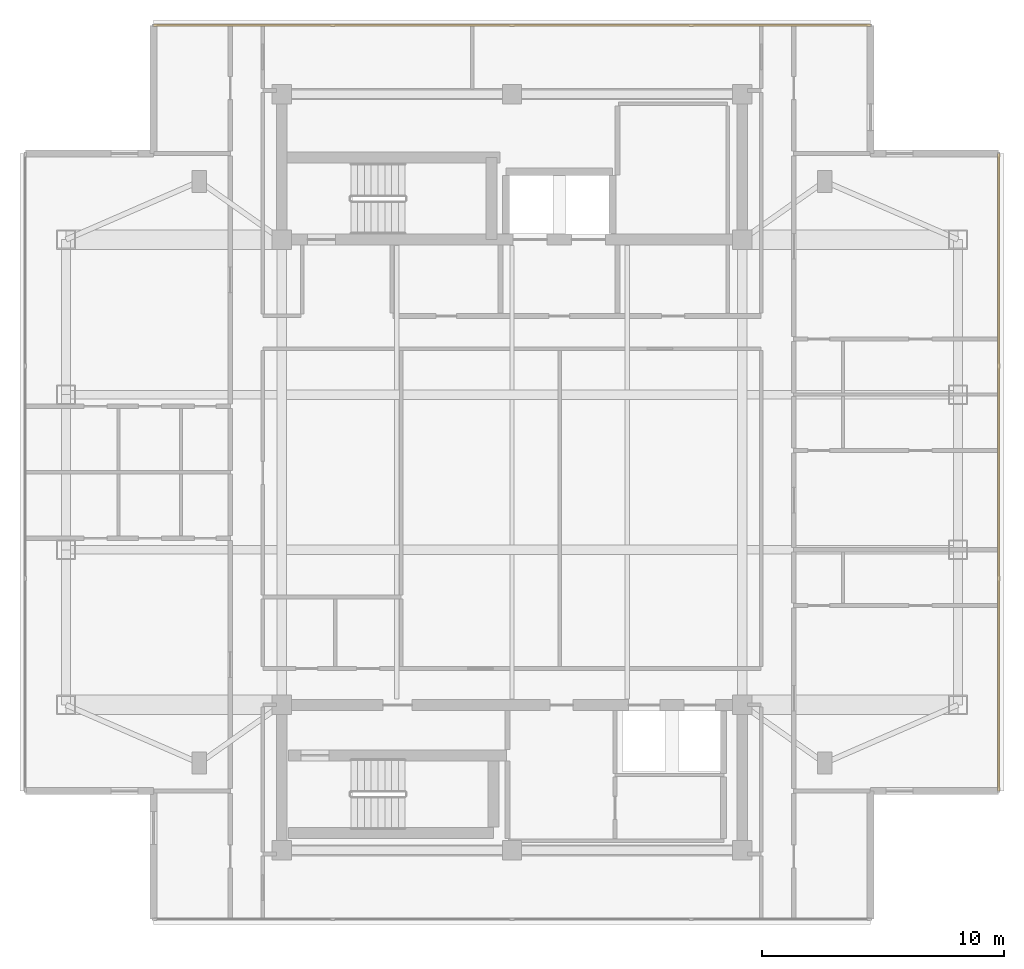
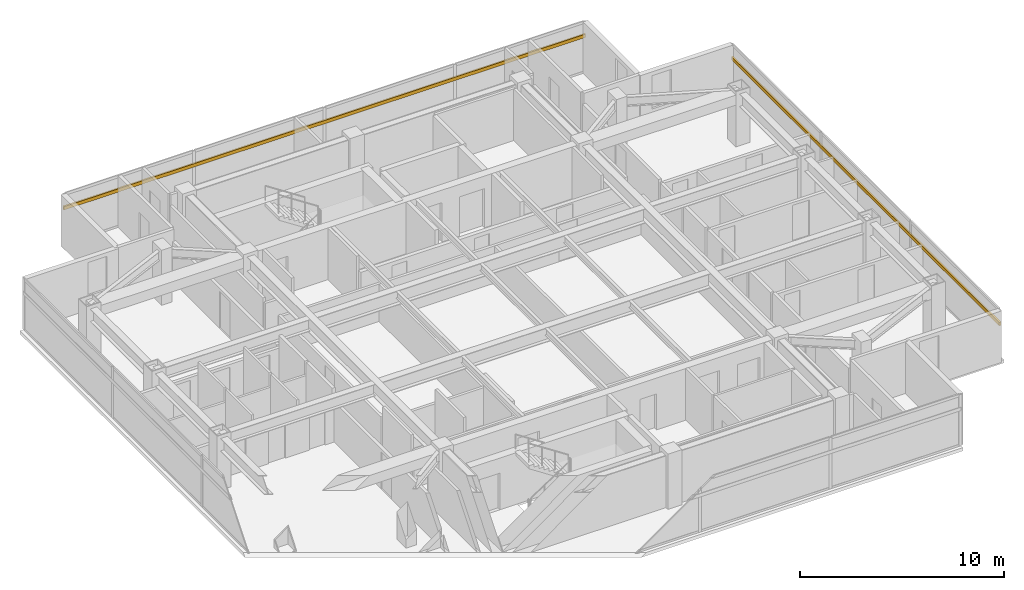
# One storey, part 12 of 12: 2 shading devices.
"""IFC4 building model written with IfcOpenShell, lengths in metres."""

from ifc_helpers import new_model, si_unit, direction, frame, origin, origin_2d, place, context, subcontext, project, spatial, rectangle, extrude, material, material_profile, profile_set, type_object, element, save


model = new_model("IFC4")

# Units and contexts
model_context = context("Model", 3, precision=1e-05, world=origin(), true_north=direction((0.0, 1.0)))
body_context = subcontext(model_context, "Body", "Model", "MODEL_VIEW")
ifc_project = project(units=[si_unit("LENGTHUNIT", "METRE"), si_unit("AREAUNIT", "SQUARE_METRE"), si_unit("VOLUMEUNIT", "CUBIC_METRE"), si_unit("PLANEANGLEUNIT", "RADIAN"), si_unit("MASSUNIT", "GRAM", prefix="KILO")], contexts=[model_context])

# Site, building, storey
site_placement = place(None, origin())
site = spatial("IfcSite", under=ifc_project, at=site_placement, CompositionType="ELEMENT")
building_placement = place(site_placement, origin())
building = spatial("IfcBuilding", under=site, at=building_placement, Name="Mirazonda Arch Towers", CompositionType="ELEMENT")
storey_placement = place(building_placement, frame((0.0, 0.0, 219.39990234375)))
storey = spatial("IfcBuildingStorey", under=building, at=storey_placement, Name="L62", CompositionType="ELEMENT", Elevation=219.39990234375)

# Shading devices
ifc_material = material(Name="Kiln-Fired Architectural Terracotta", Category="masonry")
ifc_material_profile = material_profile(ifc_material, rectangle(XDim=0.10009765625, YDim=0.199951171875, at=origin_2d()), Name="TERRA-BAG-100x200")
ifc_profile_set = profile_set([ifc_material_profile], Name="Kiln-Fired Architectural Terracotta")
shading_device_type = type_object("IfcShadingDeviceType", Name="BAGUETTE-2", PredefinedType="USERDEFINED", material=ifc_profile_set)
shading_device_1_placement = place(storey_placement, frame((40.580078125, 14.85009765625, 2.2177734375), z_axis=(0.0, 1.0, 0.0), x_axis=(-1.0, 0.0, 0.0)))
element("IfcShadingDevice", 1, at=shading_device_1_placement, inside=storey, type_object=shading_device_type, Name="L62 Glazed Terracotta Sun-Screen Baguette CW-L62-T1-E", ObjectType="BAGUETTE", PredefinedType="USERDEFINED", context=body_context, shape_type="SweptSolid", body=[
    extrude(rectangle(XDim=0.10009765625, YDim=0.199951171875, at=origin_2d()), origin(), (0.0, 0.0, 1.0), 26.2998046875),
])
shading_device_2_placement = place(storey_placement, frame((5.7099609375, 46.43994140625, 2.2177734375), z_axis=(1.0, 0.0, 0.0), x_axis=(0.0, 1.0, 0.0)))
element("IfcShadingDevice", 2, at=shading_device_2_placement, inside=storey, type_object=shading_device_type, Name="L62 Glazed Terracotta Sun-Screen Baguette CW-L62-T1-N", ObjectType="BAGUETTE", PredefinedType="USERDEFINED", context=body_context, shape_type="SweptSolid", body=[
    extrude(rectangle(XDim=0.10009765625, YDim=0.199951171875, at=origin_2d()), origin(), (0.0, 0.0, 1.0), 29.580078125),
])

save(model, "model.ifc")
